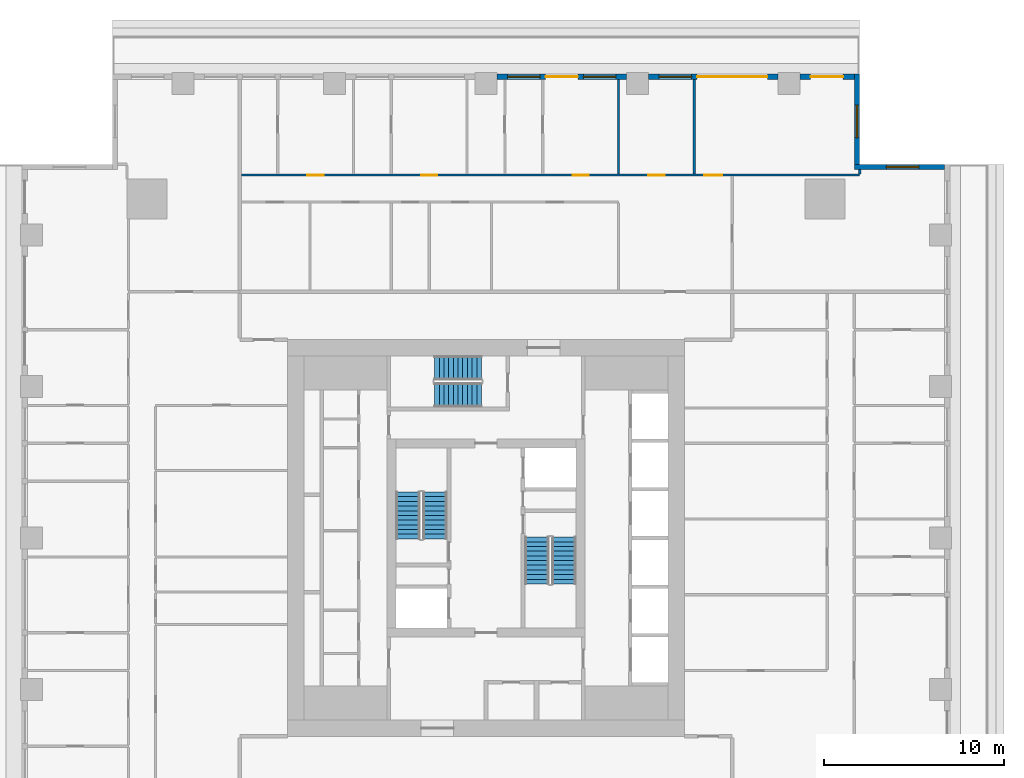
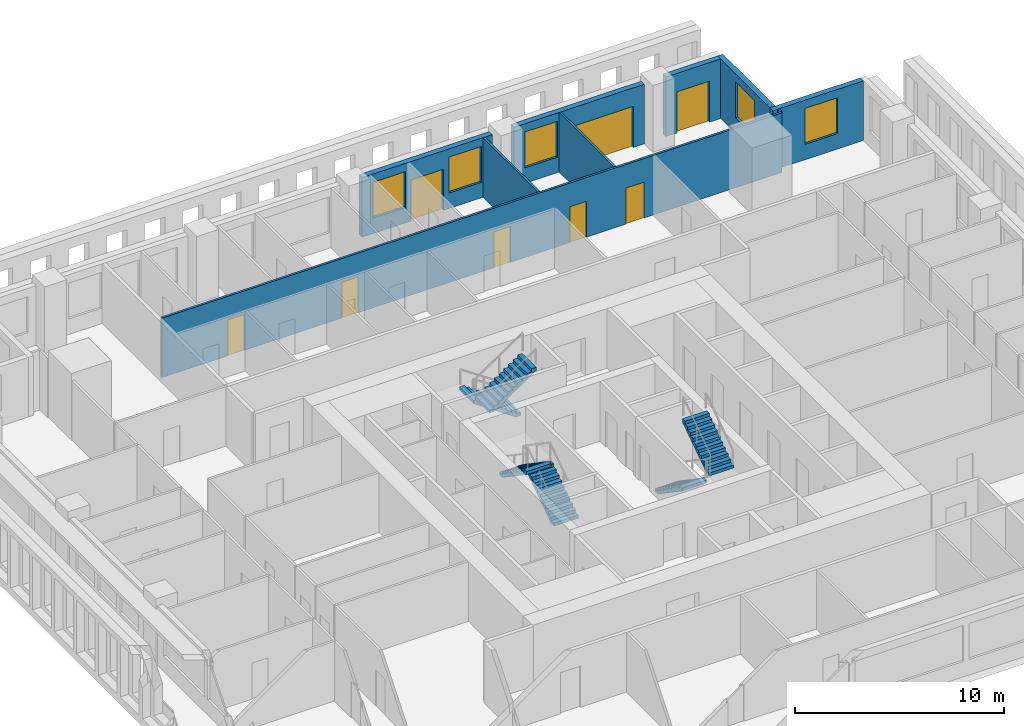
# One storey, part 9 of 14: 9 walls, 8 doors, 6 stair flights, 5 windows, 13 openings, 3 elements without a shape of their own.
"""IFC4 building model written with IfcOpenShell, lengths in metres."""

from ifc_helpers import new_model, si_unit, direction, frame, frame_2d, origin, place, context, subcontext, project, spatial, polyline, rectangle, outline, extrude, material, layer, layer_set, type_object, element, fill, aggregate, save


model = new_model("IFC4")

# Units and contexts
model_context = context("Model", 3, precision=1e-05, world=origin(), true_north=direction((0.0, 1.0)))
body_context = subcontext(model_context, "Body", "Model", "MODEL_VIEW")
ifc_project = project(units=[si_unit("LENGTHUNIT", "METRE"), si_unit("AREAUNIT", "SQUARE_METRE"), si_unit("VOLUMEUNIT", "CUBIC_METRE"), si_unit("PLANEANGLEUNIT", "RADIAN"), si_unit("MASSUNIT", "GRAM", prefix="KILO")], contexts=[model_context])

# Site, building, storey
site_placement = place(None, origin())
site = spatial("IfcSite", under=ifc_project, at=site_placement, CompositionType="ELEMENT")
building_placement = place(site_placement, origin())
building = spatial("IfcBuilding", under=site, at=building_placement, Name="Khepri Terraces", CompositionType="ELEMENT")
storey_placement = place(building_placement, frame((0.0, 0.0, 279.60009765625)))
storey = spatial("IfcBuildingStorey", under=building, at=storey_placement, Name="L67", CompositionType="ELEMENT", Elevation=279.60009765625)

# Wall, opening, window
ifc_material_1 = material(Name="Precast concrete C50/60 warm stone", Category="masonry")
ifc_layer_1 = layer(ifc_material_1, 0.300048828125, Name="Precast concrete C50/60 warm stone", Category="masonry")
ifc_layer_set_1 = layer_set([ifc_layer_1], Name="Precast concrete C50/60 warm stone")
wall_type_1 = type_object("IfcWallType", Name="WL-EXT-PRECAST-300", PredefinedType="STANDARD", material=ifc_layer_set_1)
wall_1_placement = place(storey_placement, frame((25.419921875, 20.570068359375, 0.0), z_axis=(0.0, 0.0, 1.0), x_axis=(-1.0, 0.0, 0.0)))
wall_1 = element("IfcWall", 1, at=wall_1_placement, inside=storey, type_object=wall_type_1, Name="External wall L67 N", PredefinedType="STANDARD", context=body_context, shape_type="SweptSolid", body=[
    extrude(rectangle(XDim=5.0, YDim=0.300048828125, at=frame_2d((2.5, 0.0))), origin(), (0.0, 0.0, 1.0), 3.47998046875),
])
opening_1_placement = place(wall_1_placement, frame((1.419921875, 0.0, 0.89990234375)))
opening_1 = element("IfcOpeningElement", 2, at=opening_1_placement, cuts=wall_1, Name="Opening W1", PredefinedType="OPENING", context=body_context, shape_type="SweptSolid", body=[
    extrude(rectangle(XDim=1.800048828125, YDim=2.10009765625, at=frame_2d((0.89990234375, 1.050048828125))), frame((0.0, 0.16015625, 0.0), z_axis=(0.0, -1.0, 0.0), x_axis=(1.0, 0.0, 0.0)), (0.0, 0.0, 1.0), 0.320068359375),
])
ifc_material_2 = material(Name="Clear glass", Category="glass")
window_type = type_object("IfcWindowType", Name="WIN-RES-1800x2100", PartitioningType="SINGLE_PANEL", PredefinedType="WINDOW", material=ifc_material_2)
window_1_placement = place(opening_1_placement, origin())
window_1 = element("IfcWindow", 3, at=window_1_placement, inside=storey, type_object=window_type, Name="Window L67 N", OverallHeight=2.10009765625, OverallWidth=1.800048828125, PartitioningType="SINGLE_PANEL", PredefinedType="WINDOW", context=body_context, shape_type="SweptSolid", body=[
    extrude(rectangle(XDim=1.800048828125, YDim=2.10009765625, at=frame_2d((0.89990234375, 1.050048828125))), frame((0.0, 0.030029296875, 0.0), z_axis=(0.0, -1.0, 0.0), x_axis=(1.0, 0.0, 0.0)), (0.0, 0.0, 1.0), 0.06005859375),
])
fill(opening_1, window_1)

wall_2_placement = place(storey_placement, frame((20.570068359375, 20.719970703125, 0.0), z_axis=(0.0, 0.0, 1.0), x_axis=(0.0, 1.0, 0.0)))
wall_2 = element("IfcWall", 4, at=wall_2_placement, inside=storey, type_object=wall_type_1, Name="External wall L67 E", PredefinedType="STANDARD", context=body_context, shape_type="SweptSolid", body=[
    extrude(rectangle(XDim=5.0, YDim=0.300048828125, at=frame_2d((2.5, 0.0))), origin(), (0.0, 0.0, 1.0), 3.47998046875),
])
opening_2_placement = place(wall_2_placement, frame((1.47998046875, 0.0, 0.89990234375)))
opening_2 = element("IfcOpeningElement", 5, at=opening_2_placement, cuts=wall_2, Name="Opening W1", PredefinedType="OPENING", context=body_context, shape_type="SweptSolid", body=[
    extrude(rectangle(XDim=1.800048828125, YDim=2.10009765625, at=frame_2d((0.89990234375, 1.050048828125))), frame((0.0, 0.16015625, 0.0), z_axis=(0.0, -1.0, 0.0), x_axis=(1.0, 0.0, 0.0)), (0.0, 0.0, 1.0), 0.320068359375),
])
window_2_placement = place(opening_2_placement, origin())
window_2 = element("IfcWindow", 6, at=window_2_placement, inside=storey, type_object=window_type, Name="Window L67 E", OverallHeight=2.10009765625, OverallWidth=1.800048828125, PartitioningType="SINGLE_PANEL", PredefinedType="WINDOW", context=body_context, shape_type="SweptSolid", body=[
    extrude(rectangle(XDim=1.800048828125, YDim=2.10009765625, at=frame_2d((0.89990234375, 1.050048828125))), frame((0.0, 0.030029296875, 0.0), z_axis=(0.0, -1.0, 0.0), x_axis=(1.0, 0.0, 0.0)), (0.0, 0.0, 1.0), 0.06005859375),
])
fill(opening_2, window_2)

# Wall, opening, door
wall_3_placement = place(storey_placement, frame((20.419921875, 25.570068359375, 0.0), z_axis=(0.0, 0.0, 1.0), x_axis=(-1.0, 0.0, 0.0)))
wall_3 = element("IfcWall", 7, at=wall_3_placement, inside=storey, type_object=wall_type_1, Name="External wall L67 N", PredefinedType="STANDARD", context=body_context, shape_type="SweptSolid", body=[
    extrude(rectangle(XDim=3.02001953125, YDim=0.300048828125, at=frame_2d((1.510009765625, 0.0))), origin(), (0.0, 0.0, 1.0), 3.47998046875),
])
opening_3_placement = place(wall_3_placement, frame((0.6201171875, 0.0, 0.0)))
opening_3 = element("IfcOpeningElement", 8, at=opening_3_placement, cuts=wall_3, Name="Opening ED-L67-05", PredefinedType="OPENING", context=body_context, shape_type="SweptSolid", body=[
    extrude(rectangle(XDim=1.800048828125, YDim=2.39990234375, at=frame_2d((0.89990234375, 1.199951171875))), frame((0.0, 0.16015625, 0.0), z_axis=(0.0, -1.0, 0.0), x_axis=(1.0, 0.0, 0.0)), (0.0, 0.0, 1.0), 0.320068359375),
])
ifc_material_3 = material(Name="Anodised aluminium bronze glazed door", Category="aluminium")
door_type_1 = type_object("IfcDoorType", Name="DR-BAL-SLIDE-1800x2400", OperationType="NOTDEFINED", PredefinedType="DOOR", material=ifc_material_3)
door_1_placement = place(opening_3_placement, origin())
door_1 = element("IfcDoor", 9, at=door_1_placement, inside=storey, type_object=door_type_1, Name="Balcony door L67 N", OperationType="SLIDING_TO_RIGHT", OverallHeight=2.39990234375, OverallWidth=1.800048828125, PredefinedType="DOOR", context=body_context, shape_type="SweptSolid", body=[
    extrude(rectangle(XDim=1.800048828125, YDim=2.39990234375, at=frame_2d((0.89990234375, 1.199951171875))), frame((0.0, 0.02490234375, 0.0), z_axis=(0.0, -1.0, 0.0), x_axis=(1.0, 0.0, 0.0)), (0.0, 0.0, 1.0), 0.050048828125),
])
fill(opening_3, door_1)

# Wall, openings, door, window
wall_4_placement = place(storey_placement, frame((16.199951171875, 25.570068359375, 0.0), z_axis=(0.0, 0.0, 1.0), x_axis=(-1.0, 0.0, 0.0)))
wall_4 = element("IfcWall", 10, at=wall_4_placement, inside=storey, type_object=wall_type_1, Name="External wall L67 N", PredefinedType="STANDARD", context=body_context, shape_type="SweptSolid", body=[
    extrude(rectangle(XDim=7.199951171875, YDim=0.300048828125, at=frame_2d((3.60009765625, 0.0))), origin(), (0.0, 0.0, 1.0), 3.47998046875),
])
opening_4_placement = place(wall_4_placement, frame((0.60009765625, 0.0, 0.0)))
opening_4 = element("IfcOpeningElement", 11, at=opening_4_placement, cuts=wall_4, Name="Opening ED-L67-06", PredefinedType="OPENING", context=body_context, shape_type="SweptSolid", body=[
    extrude(rectangle(XDim=3.89990234375, YDim=2.39990234375, at=frame_2d((1.949951171875, 1.199951171875))), frame((0.0, 0.16015625, 0.0), z_axis=(0.0, -1.0, 0.0), x_axis=(1.0, 0.0, 0.0)), (0.0, 0.0, 1.0), 0.320068359375),
])
opening_5_placement = place(wall_4_placement, frame((4.800048828125, 0.0, 0.89990234375)))
opening_5 = element("IfcOpeningElement", 12, at=opening_5_placement, cuts=wall_4, Name="Opening W1", PredefinedType="OPENING", context=body_context, shape_type="SweptSolid", body=[
    extrude(rectangle(XDim=1.800048828125, YDim=2.10009765625, at=frame_2d((0.89990234375, 1.050048828125))), frame((0.0, 0.16015625, 0.0), z_axis=(0.0, -1.0, 0.0), x_axis=(1.0, 0.0, 0.0)), (0.0, 0.0, 1.0), 0.320068359375),
])
door_type_2 = type_object("IfcDoorType", Name="DR-BAL-SLIDE-3900x2400", OperationType="NOTDEFINED", PredefinedType="DOOR", material=ifc_material_3)
door_2_placement = place(opening_4_placement, origin())
door_2 = element("IfcDoor", 13, at=door_2_placement, inside=storey, type_object=door_type_2, Name="Balcony door L67 N", OperationType="SLIDING_TO_LEFT", OverallHeight=2.39990234375, OverallWidth=3.89990234375, PredefinedType="DOOR", context=body_context, shape_type="SweptSolid", body=[
    extrude(rectangle(XDim=3.89990234375, YDim=2.39990234375, at=frame_2d((1.949951171875, 1.199951171875))), frame((0.0, 0.02490234375, 0.0), z_axis=(0.0, -1.0, 0.0), x_axis=(1.0, 0.0, 0.0)), (0.0, 0.0, 1.0), 0.050048828125),
])
fill(opening_4, door_2)
window_3_placement = place(opening_5_placement, origin())
window_3 = element("IfcWindow", 14, at=window_3_placement, inside=storey, type_object=window_type, Name="Window L67 N", OverallHeight=2.10009765625, OverallWidth=1.800048828125, PartitioningType="SINGLE_PANEL", PredefinedType="WINDOW", context=body_context, shape_type="SweptSolid", body=[
    extrude(rectangle(XDim=1.800048828125, YDim=2.10009765625, at=frame_2d((0.89990234375, 1.050048828125))), frame((0.0, 0.030029296875, 0.0), z_axis=(0.0, -1.0, 0.0), x_axis=(1.0, 0.0, 0.0)), (0.0, 0.0, 1.0), 0.06005859375),
])
fill(opening_5, window_3)

# Wall, openings, door, windows
wall_5_placement = place(storey_placement, frame((7.800048828125, 25.570068359375, 0.0), z_axis=(0.0, 0.0, 1.0), x_axis=(-1.0, 0.0, 0.0)))
wall_5 = element("IfcWall", 15, at=wall_5_placement, inside=storey, type_object=wall_type_1, Name="External wall L67 N", PredefinedType="STANDARD", context=body_context, shape_type="SweptSolid", body=[
    extrude(rectangle(XDim=7.199951171875, YDim=0.300048828125, at=frame_2d((3.60009765625, 0.0))), origin(), (0.0, 0.0, 1.0), 3.47998046875),
])
opening_6_placement = place(wall_5_placement, frame((0.60009765625, 0.0, 0.89990234375)))
opening_6 = element("IfcOpeningElement", 16, at=opening_6_placement, cuts=wall_5, Name="Opening W1", PredefinedType="OPENING", context=body_context, shape_type="SweptSolid", body=[
    extrude(rectangle(XDim=1.800048828125, YDim=2.10009765625, at=frame_2d((0.89990234375, 1.050048828125))), frame((0.0, 0.16015625, 0.0), z_axis=(0.0, -1.0, 0.0), x_axis=(1.0, 0.0, 0.0)), (0.0, 0.0, 1.0), 0.320068359375),
])
opening_7_placement = place(wall_5_placement, frame((2.699951171875, 0.0, 0.0)))
opening_7 = element("IfcOpeningElement", 17, at=opening_7_placement, cuts=wall_5, Name="Opening ED-L67-07", PredefinedType="OPENING", context=body_context, shape_type="SweptSolid", body=[
    extrude(rectangle(XDim=1.800048828125, YDim=2.39990234375, at=frame_2d((0.89990234375, 1.199951171875))), frame((0.0, 0.16015625, 0.0), z_axis=(0.0, -1.0, 0.0), x_axis=(1.0, 0.0, 0.0)), (0.0, 0.0, 1.0), 0.320068359375),
])
opening_8_placement = place(wall_5_placement, frame((4.800048828125, 0.0, 0.89990234375)))
opening_8 = element("IfcOpeningElement", 18, at=opening_8_placement, cuts=wall_5, Name="Opening W1", PredefinedType="OPENING", context=body_context, shape_type="SweptSolid", body=[
    extrude(rectangle(XDim=1.800048828125, YDim=2.10009765625, at=frame_2d((0.89990234375, 1.050048828125))), frame((0.0, 0.16015625, 0.0), z_axis=(0.0, -1.0, 0.0), x_axis=(1.0, 0.0, 0.0)), (0.0, 0.0, 1.0), 0.320068359375),
])
door_3_placement = place(opening_7_placement, origin())
door_3 = element("IfcDoor", 19, at=door_3_placement, inside=storey, type_object=door_type_1, Name="Balcony door L67 N", OperationType="SLIDING_TO_LEFT", OverallHeight=2.39990234375, OverallWidth=1.800048828125, PredefinedType="DOOR", context=body_context, shape_type="SweptSolid", body=[
    extrude(rectangle(XDim=1.800048828125, YDim=2.39990234375, at=frame_2d((0.89990234375, 1.199951171875))), frame((0.0, 0.02490234375, 0.0), z_axis=(0.0, -1.0, 0.0), x_axis=(1.0, 0.0, 0.0)), (0.0, 0.0, 1.0), 0.050048828125),
])
fill(opening_7, door_3)
window_4_placement = place(opening_6_placement, origin())
window_4 = element("IfcWindow", 20, at=window_4_placement, inside=storey, type_object=window_type, Name="Window L67 N", OverallHeight=2.10009765625, OverallWidth=1.800048828125, PartitioningType="SINGLE_PANEL", PredefinedType="WINDOW", context=body_context, shape_type="SweptSolid", body=[
    extrude(rectangle(XDim=1.800048828125, YDim=2.10009765625, at=frame_2d((0.89990234375, 1.050048828125))), frame((0.0, 0.030029296875, 0.0), z_axis=(0.0, -1.0, 0.0), x_axis=(1.0, 0.0, 0.0)), (0.0, 0.0, 1.0), 0.06005859375),
])
fill(opening_6, window_4)
window_5_placement = place(opening_8_placement, origin())
window_5 = element("IfcWindow", 21, at=window_5_placement, inside=storey, type_object=window_type, Name="Window L67 N", OverallHeight=2.10009765625, OverallWidth=1.800048828125, PartitioningType="SINGLE_PANEL", PredefinedType="WINDOW", context=body_context, shape_type="SweptSolid", body=[
    extrude(rectangle(XDim=1.800048828125, YDim=2.10009765625, at=frame_2d((0.89990234375, 1.050048828125))), frame((0.0, 0.030029296875, 0.0), z_axis=(0.0, -1.0, 0.0), x_axis=(1.0, 0.0, 0.0)), (0.0, 0.0, 1.0), 0.06005859375),
])
fill(opening_8, window_5)

# Wall, openings, doors
ifc_material_4 = material(Name="Gypsum plasterboard partition")
ifc_layer_2 = layer(ifc_material_4, 0.1201171875, Name="Gypsum plasterboard partition")
ifc_layer_set_2 = layer_set([ifc_layer_2], Name="Gypsum plasterboard partition")
wall_type_2 = type_object("IfcWallType", Name="WL-PART-120", PredefinedType="PARTITIONING", material=ifc_layer_set_2)
wall_6_placement = place(storey_placement, frame((-13.550048828125, 20.1201171875, 0.0), z_axis=(0.0, 0.0, 1.0), x_axis=(1.0, 0.0, 0.0)))
wall_6 = element("IfcWall", 22, at=wall_6_placement, inside=storey, type_object=wall_type_2, Name="Partition P-090 L67", PredefinedType="PARTITIONING", context=body_context, shape_type="SweptSolid", body=[
    extrude(rectangle(XDim=34.26904296875, YDim=0.1201171875, at=frame_2d((17.134521484375, 0.0))), origin(), (0.0, 0.0, 1.0), 3.47998046875),
])
opening_9_placement = place(wall_6_placement, frame((25.64990234375, 0.0, 0.0)))
opening_9 = element("IfcOpeningElement", 23, at=opening_9_placement, cuts=wall_6, Name="Opening D2", PredefinedType="OPENING", context=body_context, shape_type="SweptSolid", body=[
    extrude(rectangle(XDim=1.0, YDim=2.10009765625, at=frame_2d((0.5, 1.050048828125))), frame((0.0, 0.070068359375, 0.0), z_axis=(0.0, -1.0, 0.0), x_axis=(1.0, 0.0, 0.0)), (0.0, 0.0, 1.0), 0.14013671875),
])
opening_10_placement = place(wall_6_placement, frame((22.550048828125, 0.0, 0.0)))
opening_10 = element("IfcOpeningElement", 24, at=opening_10_placement, cuts=wall_6, Name="Opening D3", PredefinedType="OPENING", context=body_context, shape_type="SweptSolid", body=[
    extrude(rectangle(XDim=0.89990234375, YDim=2.10009765625, at=frame_2d((0.449951171875, 1.050048828125))), frame((0.0, 0.070068359375, 0.0), z_axis=(0.0, -1.0, 0.0), x_axis=(1.0, 0.0, 0.0)), (0.0, 0.0, 1.0), 0.14013671875),
])
opening_11_placement = place(wall_6_placement, frame((18.35009765625, 0.0, 0.0)))
opening_11 = element("IfcOpeningElement", 25, at=opening_11_placement, cuts=wall_6, Name="Opening D3", PredefinedType="OPENING", context=body_context, shape_type="SweptSolid", body=[
    extrude(rectangle(XDim=0.89990234375, YDim=2.10009765625, at=frame_2d((0.449951171875, 1.050048828125))), frame((0.0, 0.070068359375, 0.0), z_axis=(0.0, -1.0, 0.0), x_axis=(1.0, 0.0, 0.0)), (0.0, 0.0, 1.0), 0.14013671875),
])
opening_12_placement = place(wall_6_placement, frame((9.949951171875, 0.0, 0.0)))
opening_12 = element("IfcOpeningElement", 26, at=opening_12_placement, cuts=wall_6, Name="Opening D3", PredefinedType="OPENING", context=body_context, shape_type="SweptSolid", body=[
    extrude(rectangle(XDim=0.89990234375, YDim=2.10009765625, at=frame_2d((0.449951171875, 1.050048828125))), frame((0.0, 0.070068359375, 0.0), z_axis=(0.0, -1.0, 0.0), x_axis=(1.0, 0.0, 0.0)), (0.0, 0.0, 1.0), 0.14013671875),
])
opening_13_placement = place(wall_6_placement, frame((3.64990234375, 0.0, 0.0)))
opening_13 = element("IfcOpeningElement", 27, at=opening_13_placement, cuts=wall_6, Name="Opening D3", PredefinedType="OPENING", context=body_context, shape_type="SweptSolid", body=[
    extrude(rectangle(XDim=0.89990234375, YDim=2.10009765625, at=frame_2d((0.449951171875, 1.050048828125))), frame((0.0, 0.070068359375, 0.0), z_axis=(0.0, -1.0, 0.0), x_axis=(1.0, 0.0, 0.0)), (0.0, 0.0, 1.0), 0.14013671875),
])
ifc_material_5 = material(Name="Timber door leaf, living room door", Category="wood")
door_type_3 = type_object("IfcDoorType", Name="DR-INT-1000", OperationType="NOTDEFINED", PredefinedType="DOOR", material=ifc_material_5)
door_4_placement = place(opening_9_placement, origin())
door_4 = element("IfcDoor", 28, at=door_4_placement, inside=storey, type_object=door_type_3, Name="Door Living Room", OperationType="SINGLE_SWING_RIGHT", OverallHeight=2.10009765625, OverallWidth=1.0, PredefinedType="DOOR", context=body_context, shape_type="SweptSolid", body=[
    extrude(rectangle(XDim=1.0, YDim=2.10009765625, at=frame_2d((0.5, 1.050048828125))), frame((0.0, 0.02490234375, 0.0), z_axis=(0.0, -1.0, 0.0), x_axis=(1.0, 0.0, 0.0)), (0.0, 0.0, 1.0), 0.050048828125),
])
fill(opening_9, door_4)
ifc_material_6 = material(Name="Timber door leaf", Category="wood")
door_type_4 = type_object("IfcDoorType", Name="DR-INT-900", OperationType="NOTDEFINED", PredefinedType="DOOR", material=ifc_material_6)
door_5_placement = place(opening_10_placement, origin())
door_5 = element("IfcDoor", 29, at=door_5_placement, inside=storey, type_object=door_type_4, Name="Door Study", OperationType="SINGLE_SWING_RIGHT", OverallHeight=2.10009765625, OverallWidth=0.89990234375, PredefinedType="DOOR", context=body_context, shape_type="SweptSolid", body=[
    extrude(rectangle(XDim=0.89990234375, YDim=2.10009765625, at=frame_2d((0.449951171875, 1.050048828125))), frame((0.0, 0.02490234375, 0.0), z_axis=(0.0, -1.0, 0.0), x_axis=(1.0, 0.0, 0.0)), (0.0, 0.0, 1.0), 0.050048828125),
])
fill(opening_10, door_5)
door_6_placement = place(opening_11_placement, origin())
door_6 = element("IfcDoor", 30, at=door_6_placement, inside=storey, type_object=door_type_4, Name="Door Master Bedroom", OperationType="SINGLE_SWING_RIGHT", OverallHeight=2.10009765625, OverallWidth=0.89990234375, PredefinedType="DOOR", context=body_context, shape_type="SweptSolid", body=[
    extrude(rectangle(XDim=0.89990234375, YDim=2.10009765625, at=frame_2d((0.449951171875, 1.050048828125))), frame((0.0, 0.02490234375, 0.0), z_axis=(0.0, -1.0, 0.0), x_axis=(1.0, 0.0, 0.0)), (0.0, 0.0, 1.0), 0.050048828125),
])
fill(opening_11, door_6)
door_7_placement = place(opening_12_placement, origin())
door_7 = element("IfcDoor", 31, at=door_7_placement, inside=storey, type_object=door_type_4, Name="Door Bedroom", OperationType="SINGLE_SWING_LEFT", OverallHeight=2.10009765625, OverallWidth=0.89990234375, PredefinedType="DOOR", context=body_context, shape_type="SweptSolid", body=[
    extrude(rectangle(XDim=0.89990234375, YDim=2.10009765625, at=frame_2d((0.449951171875, 1.050048828125))), frame((0.0, 0.02490234375, 0.0), z_axis=(0.0, -1.0, 0.0), x_axis=(1.0, 0.0, 0.0)), (0.0, 0.0, 1.0), 0.050048828125),
])
fill(opening_12, door_7)
door_8_placement = place(opening_13_placement, origin())
door_8 = element("IfcDoor", 32, at=door_8_placement, inside=storey, type_object=door_type_4, Name="Door Bedroom", OperationType="SINGLE_SWING_LEFT", OverallHeight=2.10009765625, OverallWidth=0.89990234375, PredefinedType="DOOR", context=body_context, shape_type="SweptSolid", body=[
    extrude(rectangle(XDim=0.89990234375, YDim=2.10009765625, at=frame_2d((0.449951171875, 1.050048828125))), frame((0.0, 0.02490234375, 0.0), z_axis=(0.0, -1.0, 0.0), x_axis=(1.0, 0.0, 0.0)), (0.0, 0.0, 1.0), 0.050048828125),
])
fill(opening_13, door_8)

# Walls
for number, where, z_axis, x_axis, name in (
    (33, (7.35009765625, 20.179931640625, 0.0), (0.0, 0.0, 1.0), (0.0, 1.0, 0.0), "Partition P-097 L67"),
    (34, (11.550048828125, 20.179931640625, 0.0), (0.0, 0.0, 1.0), (0.0, 1.0, 0.0), "Partition P-098 L67"),
):
    element("IfcWall", number, at=place(storey_placement, frame(where, z_axis=z_axis, x_axis=x_axis)), inside=storey, type_object=wall_type_2, Name=name, PredefinedType="PARTITIONING", context=body_context, shape_type="SweptSolid", body=[
        extrude(rectangle(XDim=5.239990234375, YDim=0.1201171875, at=frame_2d((2.6201171875, 0.0))), origin(), (0.0, 0.0, 1.0), 3.47998046875),
    ])
wall_7_placement = place(storey_placement, frame((20.718994140625, 20.179931640625, 0.0), z_axis=(0.0, 0.0, 1.0), x_axis=(0.0, 1.0, 0.0)))
element("IfcWall", 35, at=wall_7_placement, inside=storey, type_object=wall_type_2, Name="Partition P-099 L67", PredefinedType="PARTITIONING", context=body_context, shape_type="SweptSolid", body=[
    extrude(rectangle(XDim=0.240966796875, YDim=0.1201171875, at=frame_2d((0.12060546875, 0.0))), origin(), (0.0, 0.0, 1.0), 3.47998046875),
])

# Stair, stair flights
ifc_material_7 = material(Name="Concrete C40/50", Category="concrete")
stair_type = type_object("IfcStairType", Name="STAIR-RC-22R", PredefinedType="HALF_TURN_STAIR", material=ifc_material_7)
stair_1_placement = place(storey_placement, origin())
stair_1 = element("IfcStair", 36, at=stair_1_placement, inside=storey, type_object=stair_type, Name="L67 Exit Stair ST-1", PredefinedType="HALF_TURN_STAIR")
stair_flight_type = type_object("IfcStairFlightType", Name="SFL-RC-177.3", PredefinedType="STRAIGHT", material=ifc_material_7)
stair_flight_1_placement = place(storey_placement, frame((-2.824951171875, -0.050048828125, 0.0), z_axis=(0.0, 0.0, 1.0), x_axis=(0.0, 1.0, 0.0)))
stair_flight_1 = element("IfcStairFlight", 37, at=stair_flight_1_placement, type_object=stair_flight_type, Name="ST-1 flight 1", NumberOfRisers=11, NumberOfTreads=10, PredefinedType="STRAIGHT", RiserHeight=0.177272727, TreadLength=0.26, context=body_context, shape_type="SweptSolid", body=[
    extrude(outline(polyline([(0.0, 0.0), (0.0, 0.17724609375), (0.260009765625, 0.17724609375), (0.260009765625, 0.3544921875), (0.52001953125, 0.3544921875), (0.52001953125, 0.53173828125), (0.780029296875, 0.53173828125), (0.780029296875, 0.708984375), (1.0400390625, 0.708984375), (1.0400390625, 0.886474609375), (1.300048828125, 0.886474609375), (1.300048828125, 1.063720703125), (1.56005859375, 1.063720703125), (1.56005859375, 1.240966796875), (1.820068359375, 1.240966796875), (1.820068359375, 1.418212890625), (2.080078125, 1.418212890625), (2.080078125, 1.595458984375), (2.340087890625, 1.595458984375), (2.340087890625, 1.772705078125), (2.60009765625, 1.772705078125), (2.60009765625, 1.949951171875), (2.60009765625, 1.59130859375), (0.26611328125, 0.0), (0.0, 0.0)])), frame((0.0, 0.675048828125, 0.0), z_axis=(0.0, -1.0, 0.0), x_axis=(1.0, 0.0, 0.0)), (0.0, 0.0, 1.0), 1.35009765625),
])
stair_flight_2_placement = place(storey_placement, frame((-4.324951171875, 2.550048828125, 1.949951171875), z_axis=(0.0, 0.0, 1.0), x_axis=(0.0, -1.0, 0.0)))
stair_flight_2 = element("IfcStairFlight", 38, at=stair_flight_2_placement, type_object=stair_flight_type, Name="ST-1 flight 2", NumberOfRisers=11, NumberOfTreads=10, PredefinedType="STRAIGHT", RiserHeight=0.177272727, TreadLength=0.26, context=body_context, shape_type="SweptSolid", body=[
    extrude(outline(polyline([(0.0, 0.0), (0.0, 0.17724609375), (0.260009765625, 0.17724609375), (0.260009765625, 0.3544921875), (0.52001953125, 0.3544921875), (0.52001953125, 0.53173828125), (0.780029296875, 0.53173828125), (0.780029296875, 0.708984375), (1.0400390625, 0.708984375), (1.0400390625, 0.886474609375), (1.300048828125, 0.886474609375), (1.300048828125, 1.063720703125), (1.56005859375, 1.063720703125), (1.56005859375, 1.240966796875), (1.820068359375, 1.240966796875), (1.820068359375, 1.418212890625), (2.080078125, 1.418212890625), (2.080078125, 1.595458984375), (2.340087890625, 1.595458984375), (2.340087890625, 1.772705078125), (2.60009765625, 1.772705078125), (2.60009765625, 1.949951171875), (2.60009765625, 1.59130859375), (0.26611328125, 0.0), (0.0, 0.0)])), frame((0.0, 0.675048828125, 0.0), z_axis=(0.0, -1.0, 0.0), x_axis=(1.0, 0.0, 0.0)), (0.0, 0.0, 1.0), 1.35009765625),
])
aggregate(stair_1, [stair_flight_1, stair_flight_2])

stair_2_placement = place(storey_placement, origin())
stair_2 = element("IfcStair", 39, at=stair_2_placement, inside=storey, type_object=stair_type, Name="L67 Exit Stair ST-2", PredefinedType="HALF_TURN_STAIR")
stair_flight_3_placement = place(storey_placement, frame((2.824951171875, 0.050048828125, 0.0), z_axis=(0.0, 0.0, 1.0), x_axis=(0.0, -1.0, 0.0)))
stair_flight_3 = element("IfcStairFlight", 40, at=stair_flight_3_placement, type_object=stair_flight_type, Name="ST-2 flight 1", NumberOfRisers=11, NumberOfTreads=10, PredefinedType="STRAIGHT", RiserHeight=0.177272727, TreadLength=0.26, context=body_context, shape_type="SweptSolid", body=[
    extrude(outline(polyline([(0.0, 0.0), (0.0, 0.17724609375), (0.260009765625, 0.17724609375), (0.260009765625, 0.3544921875), (0.52001953125, 0.3544921875), (0.52001953125, 0.53173828125), (0.780029296875, 0.53173828125), (0.780029296875, 0.708984375), (1.0400390625, 0.708984375), (1.0400390625, 0.886474609375), (1.300048828125, 0.886474609375), (1.300048828125, 1.063720703125), (1.56005859375, 1.063720703125), (1.56005859375, 1.240966796875), (1.820068359375, 1.240966796875), (1.820068359375, 1.418212890625), (2.080078125, 1.418212890625), (2.080078125, 1.595458984375), (2.340087890625, 1.595458984375), (2.340087890625, 1.772705078125), (2.60009765625, 1.772705078125), (2.60009765625, 1.949951171875), (2.60009765625, 1.59130859375), (0.26611328125, 0.0), (0.0, 0.0)])), frame((0.0, 0.675048828125, 0.0), z_axis=(0.0, -1.0, 0.0), x_axis=(1.0, 0.0, 0.0)), (0.0, 0.0, 1.0), 1.35009765625),
])
stair_flight_4_placement = place(storey_placement, frame((4.324951171875, -2.550048828125, 1.949951171875), z_axis=(0.0, 0.0, 1.0), x_axis=(0.0, 1.0, 0.0)))
stair_flight_4 = element("IfcStairFlight", 41, at=stair_flight_4_placement, type_object=stair_flight_type, Name="ST-2 flight 2", NumberOfRisers=11, NumberOfTreads=10, PredefinedType="STRAIGHT", RiserHeight=0.177272727, TreadLength=0.26, context=body_context, shape_type="SweptSolid", body=[
    extrude(outline(polyline([(0.0, 0.0), (0.0, 0.17724609375), (0.260009765625, 0.17724609375), (0.260009765625, 0.3544921875), (0.52001953125, 0.3544921875), (0.52001953125, 0.53173828125), (0.780029296875, 0.53173828125), (0.780029296875, 0.708984375), (1.0400390625, 0.708984375), (1.0400390625, 0.886474609375), (1.300048828125, 0.886474609375), (1.300048828125, 1.063720703125), (1.56005859375, 1.063720703125), (1.56005859375, 1.240966796875), (1.820068359375, 1.240966796875), (1.820068359375, 1.418212890625), (2.080078125, 1.418212890625), (2.080078125, 1.595458984375), (2.340087890625, 1.595458984375), (2.340087890625, 1.772705078125), (2.60009765625, 1.772705078125), (2.60009765625, 1.949951171875), (2.60009765625, 1.59130859375), (0.26611328125, 0.0), (0.0, 0.0)])), frame((0.0, 0.675048828125, 0.0), z_axis=(0.0, -1.0, 0.0), x_axis=(1.0, 0.0, 0.0)), (0.0, 0.0, 1.0), 1.35009765625),
])
aggregate(stair_2, [stair_flight_3, stair_flight_4])

stair_3_placement = place(storey_placement, origin())
stair_3 = element("IfcStair", 42, at=stair_3_placement, inside=storey, type_object=stair_type, Name="L67 Exit Stair ST-3", PredefinedType="HALF_TURN_STAIR")
stair_flight_5_placement = place(storey_placement, frame((-0.25, 9.425048828125, 0.0), z_axis=(0.0, 0.0, 1.0), x_axis=(-1.0, 0.0, 0.0)))
stair_flight_5 = element("IfcStairFlight", 43, at=stair_flight_5_placement, type_object=stair_flight_type, Name="ST-3 flight 1", NumberOfRisers=11, NumberOfTreads=10, PredefinedType="STRAIGHT", RiserHeight=0.177272727, TreadLength=0.26, context=body_context, shape_type="SweptSolid", body=[
    extrude(outline(polyline([(0.0, 0.0), (0.0, 0.17724609375), (0.260009765625, 0.17724609375), (0.260009765625, 0.3544921875), (0.52001953125, 0.3544921875), (0.52001953125, 0.53173828125), (0.780029296875, 0.53173828125), (0.780029296875, 0.708984375), (1.0400390625, 0.708984375), (1.0400390625, 0.886474609375), (1.300048828125, 0.886474609375), (1.300048828125, 1.063720703125), (1.56005859375, 1.063720703125), (1.56005859375, 1.240966796875), (1.820068359375, 1.240966796875), (1.820068359375, 1.418212890625), (2.080078125, 1.418212890625), (2.080078125, 1.595458984375), (2.340087890625, 1.595458984375), (2.340087890625, 1.772705078125), (2.60009765625, 1.772705078125), (2.60009765625, 1.949951171875), (2.60009765625, 1.59130859375), (0.26611328125, 0.0), (0.0, 0.0)])), frame((0.0, 0.675048828125, 0.0), z_axis=(0.0, -1.0, 0.0), x_axis=(1.0, 0.0, 0.0)), (0.0, 0.0, 1.0), 1.35009765625),
])
stair_flight_6_placement = place(storey_placement, frame((-2.85009765625, 7.925048828125, 1.949951171875), z_axis=(0.0, 0.0, 1.0), x_axis=(1.0, 0.0, 0.0)))
stair_flight_6 = element("IfcStairFlight", 44, at=stair_flight_6_placement, type_object=stair_flight_type, Name="ST-3 flight 2", NumberOfRisers=11, NumberOfTreads=10, PredefinedType="STRAIGHT", RiserHeight=0.177272727, TreadLength=0.26, context=body_context, shape_type="SweptSolid", body=[
    extrude(outline(polyline([(0.0, 0.0), (0.0, 0.17724609375), (0.260009765625, 0.17724609375), (0.260009765625, 0.3544921875), (0.52001953125, 0.3544921875), (0.52001953125, 0.53173828125), (0.780029296875, 0.53173828125), (0.780029296875, 0.708984375), (1.0400390625, 0.708984375), (1.0400390625, 0.886474609375), (1.300048828125, 0.886474609375), (1.300048828125, 1.063720703125), (1.56005859375, 1.063720703125), (1.56005859375, 1.240966796875), (1.820068359375, 1.240966796875), (1.820068359375, 1.418212890625), (2.080078125, 1.418212890625), (2.080078125, 1.595458984375), (2.340087890625, 1.595458984375), (2.340087890625, 1.772705078125), (2.60009765625, 1.772705078125), (2.60009765625, 1.949951171875), (2.60009765625, 1.59130859375), (0.26611328125, 0.0), (0.0, 0.0)])), frame((0.0, 0.675048828125, 0.0), z_axis=(0.0, -1.0, 0.0), x_axis=(1.0, 0.0, 0.0)), (0.0, 0.0, 1.0), 1.35009765625),
])
aggregate(stair_3, [stair_flight_5, stair_flight_6])

save(model, "model.ifc")
